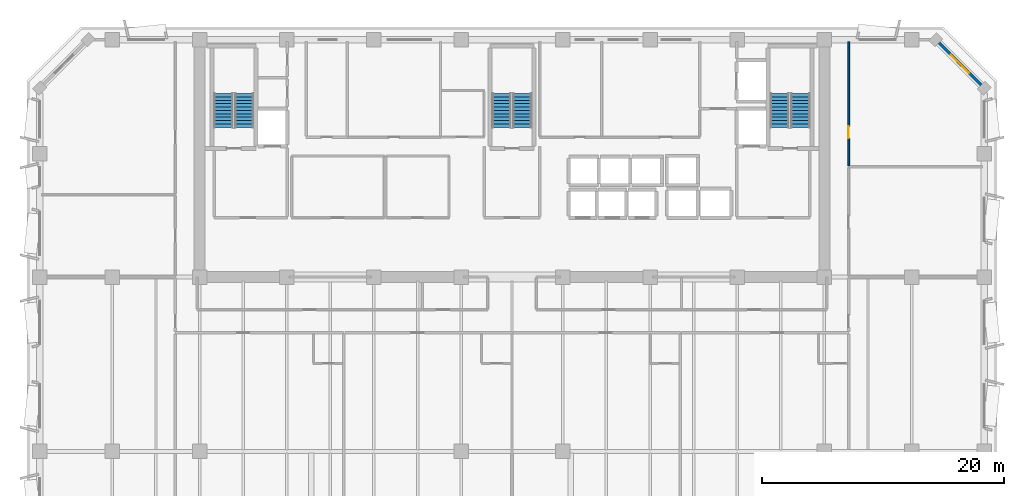
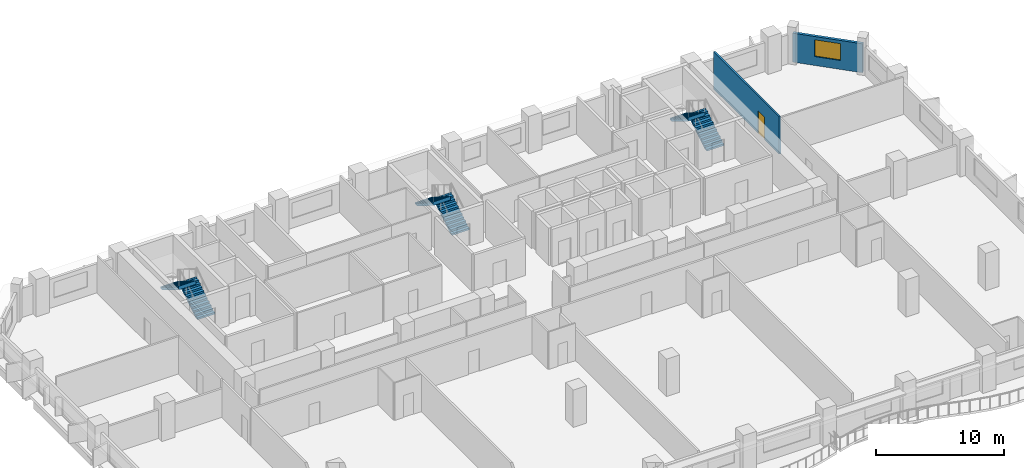
# One storey, part 9 of 14: 6 stair flights, 2 walls, 1 door, 1 window, 2 openings, 3 elements without a shape of their own.
"""IFC4 building model written with IfcOpenShell, lengths in metres."""

from ifc_helpers import new_model, si_unit, direction, frame, frame_2d, origin, place, context, subcontext, project, spatial, polyline, rectangle, outline, extrude, material, layer, layer_set, type_object, element, fill, aggregate, save


model = new_model("IFC4")

# Units and contexts
model_context = context("Model", 3, precision=1e-05, world=origin(), true_north=direction((0.0, 1.0)))
body_context = subcontext(model_context, "Body", "Model", "MODEL_VIEW")
ifc_project = project(units=[si_unit("LENGTHUNIT", "METRE"), si_unit("AREAUNIT", "SQUARE_METRE"), si_unit("VOLUMEUNIT", "CUBIC_METRE"), si_unit("PLANEANGLEUNIT", "RADIAN"), si_unit("MASSUNIT", "GRAM", prefix="KILO")], contexts=[model_context])

# Site, building, storey
site_placement = place(None, origin())
site = spatial("IfcSite", under=ifc_project, at=site_placement, CompositionType="ELEMENT")
building_placement = place(site_placement, origin())
building = spatial("IfcBuilding", under=site, at=building_placement, Name="Kaelvorn Grand Hotel", CompositionType="ELEMENT")
storey_placement = place(building_placement, frame((0.0, 0.0, 220.550048828125)))
storey = spatial("IfcBuildingStorey", under=building, at=storey_placement, Name="L54", CompositionType="ELEMENT", Elevation=220.550048828125)

# Wall, opening, window
ifc_material_1 = material(Name="Concrete C40/50", Category="concrete")
ifc_layer_1 = layer(ifc_material_1, 0.239990234375)
ifc_layer_set_1 = layer_set([ifc_layer_1], Name="Concrete C40/50")
wall_type_1 = type_object("IfcWallType", Name="WL-EXT-240-C40", PredefinedType="SOLIDWALL", material=ifc_layer_set_1)
wall_1_placement = place(storey_placement, frame((81.0, 45.0, 0.0), z_axis=(0.0, 0.0, 1.0), x_axis=(-0.707106781187, 0.707106781187, 0.0)))
wall_1 = element("IfcWall", 1, at=wall_1_placement, inside=storey, type_object=wall_type_1, Name="L54 Exterior Architectural Concrete Wall 04", PredefinedType="SOLIDWALL", context=body_context, shape_type="SweptSolid", body=[
    extrude(rectangle(XDim=5.65673828125, YDim=0.239990234375, at=frame_2d((2.828369140625, 0.0))), origin(), (0.0, 0.0, 1.0), 2.760009765625),
])
opening_1_placement = place(wall_1_placement, frame((1.7783203125, 0.0, 0.85009765625)))
opening_1 = element("IfcOpeningElement", 2, at=opening_1_placement, cuts=wall_1, Name="Opening W7", PredefinedType="OPENING", context=body_context, shape_type="SweptSolid", body=[
    extrude(rectangle(XDim=2.10009765625, YDim=1.60009765625, at=frame_2d((1.050048828125, 0.800048828125))), frame((0.0, 0.1298828125, 0.0), z_axis=(0.0, -1.0, 0.0), x_axis=(1.0, 0.0, 0.0)), (0.0, 0.0, 1.0), 0.260009765625),
])
ifc_material_2 = material(Name="Laminated Low-E Glass", Category="glass")
window_type = type_object("IfcWindowType", Name="WIN-CHM-2100x1600", PartitioningType="SINGLE_PANEL", PredefinedType="WINDOW", material=ifc_material_2)
window_placement = place(opening_1_placement, origin())
window = element("IfcWindow", 3, at=window_placement, inside=storey, type_object=window_type, Name="L54 Chamfered 45-Degree Corner Window NE", OverallHeight=1.60009765625, OverallWidth=2.10009765625, PartitioningType="SINGLE_PANEL", PredefinedType="WINDOW", context=body_context, shape_type="SweptSolid", body=[
    extrude(rectangle(XDim=2.10009765625, YDim=1.60009765625, at=frame_2d((1.050048828125, 0.800048828125))), frame((0.0, 0.030029296875, 0.0), z_axis=(0.0, -1.0, 0.0), x_axis=(1.0, 0.0, 0.0)), (0.0, 0.0, 1.0), 0.06005859375),
])
fill(opening_1, window)

# Wall, opening, door
ifc_material_3 = material(Name="Acoustic Gypsum & Stud Partition")
ifc_layer_2 = layer(ifc_material_3, 0.14990234375)
ifc_layer_set_2 = layer_set([ifc_layer_2], Name="Acoustic Gypsum & Stud Partition")
wall_type_2 = type_object("IfcWallType", Name="WL-PART-150-EI60", PredefinedType="PARTITIONING", material=ifc_layer_set_2)
wall_2_placement = place(storey_placement, frame((69.800048828125, 38.580078125, 0.0), z_axis=(0.0, 0.0, 1.0), x_axis=(0.0, 1.0, 0.0)))
wall_2 = element("IfcWall", 4, at=wall_2_placement, inside=storey, type_object=wall_type_2, Name="L54 North-East Botanical Conservatory Salon W Partition", PredefinedType="PARTITIONING", context=body_context, shape_type="SweptSolid", body=[
    extrude(rectangle(XDim=10.27001953125, YDim=0.14990234375, at=frame_2d((5.135009765625, 0.0))), origin(), (0.0, 0.0, 1.0), 3.56005859375),
])
opening_2_placement = place(wall_2_placement, frame((2.27001953125, 0.0, 0.0)))
opening_2 = element("IfcOpeningElement", 5, at=opening_2_placement, cuts=wall_2, Name="Opening DI3", PredefinedType="OPENING", context=body_context, shape_type="SweptSolid", body=[
    extrude(rectangle(XDim=1.0, YDim=2.14990234375, at=frame_2d((0.5, 1.074951171875))), frame((0.0, 0.0849609375, 0.0), z_axis=(0.0, -1.0, 0.0), x_axis=(1.0, 0.0, 0.0)), (0.0, 0.0, 1.0), 0.169921875),
])
ifc_material_4 = material(Name="Timber Veneer Fire Leaf", Category="wood")
door_type = type_object("IfcDoorType", Name="DR-INT-GUEST-1000x2150", OperationType="NOTDEFINED", PredefinedType="DOOR", material=ifc_material_4)
door_placement = place(opening_2_placement, origin())
door = element("IfcDoor", 6, at=door_placement, inside=storey, type_object=door_type, Name="L54 North-East Botanical Conservatory Salon Door", OperationType="SINGLE_SWING_LEFT", OverallHeight=2.14990234375, OverallWidth=1.0, PredefinedType="DOOR", context=body_context, shape_type="SweptSolid", body=[
    extrude(rectangle(XDim=1.0, YDim=2.14990234375, at=frame_2d((0.5, 1.074951171875))), frame((0.0, 0.02490234375, 0.0), z_axis=(0.0, -1.0, 0.0), x_axis=(1.0, 0.0, 0.0)), (0.0, 0.0, 1.0), 0.050048828125),
])
fill(opening_2, door)

# Stair, stair flights
stair_type = type_object("IfcStairType", Name="STR-DOG-1560-R08", PredefinedType="HALF_TURN_STAIR", material=ifc_material_1)
stair_1_placement = place(storey_placement, origin())
stair_1 = element("IfcStair", 7, at=stair_1_placement, inside=storey, type_object=stair_type, Name="L54 West Core Exit Stair ST1", PredefinedType="HALF_TURN_STAIR")
stair_flight_type = type_object("IfcStairFlightType", Name="FLG-DOG-1560-R08", PredefinedType="STRAIGHT", material=ifc_material_1)
stair_flight_1_placement = place(storey_placement, frame((19.89990234375, 41.760009765625, 0.0), z_axis=(0.0, 0.0, 1.0), x_axis=(0.0, 1.0, 0.0)))
stair_flight_1 = element("IfcStairFlight", 8, at=stair_flight_1_placement, type_object=stair_flight_type, Name="ST1 flight 1", NumberOfRisers=11, NumberOfTreads=10, PredefinedType="STRAIGHT", RiserHeight=0.172727273, TreadLength=0.28, context=body_context, shape_type="SweptSolid", body=[
    extrude(outline(polyline([(-0.0048828125, 0.0), (-0.0048828125, 0.0400390625), (0.0, 0.172607421875), (0.280029296875, 0.172607421875), (0.280029296875, 0.345458984375), (0.56005859375, 0.345458984375), (0.56005859375, 0.51806640625), (0.840087890625, 0.51806640625), (0.840087890625, 0.69091796875), (1.1201171875, 0.69091796875), (1.1201171875, 0.863525390625), (1.39990234375, 0.863525390625), (1.39990234375, 1.036376953125), (1.679931640625, 1.036376953125), (1.679931640625, 1.208984375), (1.9599609375, 1.208984375), (1.9599609375, 1.3818359375), (2.239990234375, 1.3818359375), (2.239990234375, 1.554443359375), (2.52001953125, 1.554443359375), (2.52001953125, 1.727294921875), (2.800048828125, 1.727294921875), (2.800048828125, 1.89990234375), (2.804931640625, 1.89990234375), (2.804931640625, 1.551025390625), (0.285400390625, 0.0), (-0.0048828125, 0.0)])), frame((0.0, 0.780029296875, 0.0), z_axis=(0.0, -1.0, 0.0), x_axis=(1.0, 0.0, 0.0)), (0.0, 0.0, 1.0), 1.56005859375),
])
stair_flight_2_placement = place(storey_placement, frame((18.179931640625, 44.56005859375, 1.89990234375), z_axis=(0.0, 0.0, 1.0), x_axis=(0.0, -1.0, 0.0)))
stair_flight_2 = element("IfcStairFlight", 9, at=stair_flight_2_placement, type_object=stair_flight_type, Name="ST1 flight 2", NumberOfRisers=11, NumberOfTreads=10, PredefinedType="STRAIGHT", RiserHeight=0.172727273, TreadLength=0.28, context=body_context, shape_type="SweptSolid", body=[
    extrude(outline(polyline([(-0.0048828125, 0.0), (-0.0048828125, 0.0400390625), (0.0, 0.172607421875), (0.280029296875, 0.172607421875), (0.280029296875, 0.345458984375), (0.56005859375, 0.345458984375), (0.56005859375, 0.51806640625), (0.840087890625, 0.51806640625), (0.840087890625, 0.69091796875), (1.1201171875, 0.69091796875), (1.1201171875, 0.863525390625), (1.39990234375, 0.863525390625), (1.39990234375, 1.036376953125), (1.679931640625, 1.036376953125), (1.679931640625, 1.208984375), (1.9599609375, 1.208984375), (1.9599609375, 1.3818359375), (2.239990234375, 1.3818359375), (2.239990234375, 1.554443359375), (2.52001953125, 1.554443359375), (2.52001953125, 1.727294921875), (2.800048828125, 1.727294921875), (2.800048828125, 1.89990234375), (2.804931640625, 1.89990234375), (2.804931640625, 1.551025390625), (0.285400390625, 0.0), (-0.0048828125, 0.0)])), frame((0.0, 0.780029296875, 0.0), z_axis=(0.0, -1.0, 0.0), x_axis=(1.0, 0.0, 0.0)), (0.0, 0.0, 1.0), 1.56005859375),
])
aggregate(stair_1, [stair_flight_1, stair_flight_2])

stair_2_placement = place(storey_placement, origin())
stair_2 = element("IfcStair", 10, at=stair_2_placement, inside=storey, type_object=stair_type, Name="L54 Central Core Exit Stair ST2", PredefinedType="HALF_TURN_STAIR")
stair_flight_3_placement = place(storey_placement, frame((42.860107421875, 41.760009765625, 0.0), z_axis=(0.0, 0.0, 1.0), x_axis=(0.0, 1.0, 0.0)))
stair_flight_3 = element("IfcStairFlight", 11, at=stair_flight_3_placement, type_object=stair_flight_type, Name="ST2 flight 1", NumberOfRisers=11, NumberOfTreads=10, PredefinedType="STRAIGHT", RiserHeight=0.172727273, TreadLength=0.28, context=body_context, shape_type="SweptSolid", body=[
    extrude(outline(polyline([(-0.0048828125, 0.0), (-0.0048828125, 0.0400390625), (0.0, 0.172607421875), (0.280029296875, 0.172607421875), (0.280029296875, 0.345458984375), (0.56005859375, 0.345458984375), (0.56005859375, 0.51806640625), (0.840087890625, 0.51806640625), (0.840087890625, 0.69091796875), (1.1201171875, 0.69091796875), (1.1201171875, 0.863525390625), (1.39990234375, 0.863525390625), (1.39990234375, 1.036376953125), (1.679931640625, 1.036376953125), (1.679931640625, 1.208984375), (1.9599609375, 1.208984375), (1.9599609375, 1.3818359375), (2.239990234375, 1.3818359375), (2.239990234375, 1.554443359375), (2.52001953125, 1.554443359375), (2.52001953125, 1.727294921875), (2.800048828125, 1.727294921875), (2.800048828125, 1.89990234375), (2.804931640625, 1.89990234375), (2.804931640625, 1.551025390625), (0.285400390625, 0.0), (-0.0048828125, 0.0)])), frame((0.0, 0.780029296875, 0.0), z_axis=(0.0, -1.0, 0.0), x_axis=(1.0, 0.0, 0.0)), (0.0, 0.0, 1.0), 1.56005859375),
])
stair_flight_4_placement = place(storey_placement, frame((41.139892578125, 44.56005859375, 1.89990234375), z_axis=(0.0, 0.0, 1.0), x_axis=(0.0, -1.0, 0.0)))
stair_flight_4 = element("IfcStairFlight", 12, at=stair_flight_4_placement, type_object=stair_flight_type, Name="ST2 flight 2", NumberOfRisers=11, NumberOfTreads=10, PredefinedType="STRAIGHT", RiserHeight=0.172727273, TreadLength=0.28, context=body_context, shape_type="SweptSolid", body=[
    extrude(outline(polyline([(-0.0048828125, 0.0), (-0.0048828125, 0.0400390625), (0.0, 0.172607421875), (0.280029296875, 0.172607421875), (0.280029296875, 0.345458984375), (0.56005859375, 0.345458984375), (0.56005859375, 0.51806640625), (0.840087890625, 0.51806640625), (0.840087890625, 0.69091796875), (1.1201171875, 0.69091796875), (1.1201171875, 0.863525390625), (1.39990234375, 0.863525390625), (1.39990234375, 1.036376953125), (1.679931640625, 1.036376953125), (1.679931640625, 1.208984375), (1.9599609375, 1.208984375), (1.9599609375, 1.3818359375), (2.239990234375, 1.3818359375), (2.239990234375, 1.554443359375), (2.52001953125, 1.554443359375), (2.52001953125, 1.727294921875), (2.800048828125, 1.727294921875), (2.800048828125, 1.89990234375), (2.804931640625, 1.89990234375), (2.804931640625, 1.551025390625), (0.285400390625, 0.0), (-0.0048828125, 0.0)])), frame((0.0, 0.780029296875, 0.0), z_axis=(0.0, -1.0, 0.0), x_axis=(1.0, 0.0, 0.0)), (0.0, 0.0, 1.0), 1.56005859375),
])
aggregate(stair_2, [stair_flight_3, stair_flight_4])

stair_3_placement = place(storey_placement, origin())
stair_3 = element("IfcStair", 13, at=stair_3_placement, inside=storey, type_object=stair_type, Name="L54 East Core Exit Stair ST3", PredefinedType="HALF_TURN_STAIR")
stair_flight_5_placement = place(storey_placement, frame((65.820068359375, 41.760009765625, 0.0), z_axis=(0.0, 0.0, 1.0), x_axis=(0.0, 1.0, 0.0)))
stair_flight_5 = element("IfcStairFlight", 14, at=stair_flight_5_placement, type_object=stair_flight_type, Name="ST3 flight 1", NumberOfRisers=11, NumberOfTreads=10, PredefinedType="STRAIGHT", RiserHeight=0.172727273, TreadLength=0.28, context=body_context, shape_type="SweptSolid", body=[
    extrude(outline(polyline([(-0.0048828125, 0.0), (-0.0048828125, 0.0400390625), (0.0, 0.172607421875), (0.280029296875, 0.172607421875), (0.280029296875, 0.345458984375), (0.56005859375, 0.345458984375), (0.56005859375, 0.51806640625), (0.840087890625, 0.51806640625), (0.840087890625, 0.69091796875), (1.1201171875, 0.69091796875), (1.1201171875, 0.863525390625), (1.39990234375, 0.863525390625), (1.39990234375, 1.036376953125), (1.679931640625, 1.036376953125), (1.679931640625, 1.208984375), (1.9599609375, 1.208984375), (1.9599609375, 1.3818359375), (2.239990234375, 1.3818359375), (2.239990234375, 1.554443359375), (2.52001953125, 1.554443359375), (2.52001953125, 1.727294921875), (2.800048828125, 1.727294921875), (2.800048828125, 1.89990234375), (2.804931640625, 1.89990234375), (2.804931640625, 1.551025390625), (0.285400390625, 0.0), (-0.0048828125, 0.0)])), frame((0.0, 0.780029296875, 0.0), z_axis=(0.0, -1.0, 0.0), x_axis=(1.0, 0.0, 0.0)), (0.0, 0.0, 1.0), 1.56005859375),
])
stair_flight_6_placement = place(storey_placement, frame((64.10009765625, 44.56005859375, 1.89990234375), z_axis=(0.0, 0.0, 1.0), x_axis=(0.0, -1.0, 0.0)))
stair_flight_6 = element("IfcStairFlight", 15, at=stair_flight_6_placement, type_object=stair_flight_type, Name="ST3 flight 2", NumberOfRisers=11, NumberOfTreads=10, PredefinedType="STRAIGHT", RiserHeight=0.172727273, TreadLength=0.28, context=body_context, shape_type="SweptSolid", body=[
    extrude(outline(polyline([(-0.0048828125, 0.0), (-0.0048828125, 0.0400390625), (0.0, 0.172607421875), (0.280029296875, 0.172607421875), (0.280029296875, 0.345458984375), (0.56005859375, 0.345458984375), (0.56005859375, 0.51806640625), (0.840087890625, 0.51806640625), (0.840087890625, 0.69091796875), (1.1201171875, 0.69091796875), (1.1201171875, 0.863525390625), (1.39990234375, 0.863525390625), (1.39990234375, 1.036376953125), (1.679931640625, 1.036376953125), (1.679931640625, 1.208984375), (1.9599609375, 1.208984375), (1.9599609375, 1.3818359375), (2.239990234375, 1.3818359375), (2.239990234375, 1.554443359375), (2.52001953125, 1.554443359375), (2.52001953125, 1.727294921875), (2.800048828125, 1.727294921875), (2.800048828125, 1.89990234375), (2.804931640625, 1.89990234375), (2.804931640625, 1.551025390625), (0.285400390625, 0.0), (-0.0048828125, 0.0)])), frame((0.0, 0.780029296875, 0.0), z_axis=(0.0, -1.0, 0.0), x_axis=(1.0, 0.0, 0.0)), (0.0, 0.0, 1.0), 1.56005859375),
])
aggregate(stair_3, [stair_flight_5, stair_flight_6])

save(model, "model.ifc")
